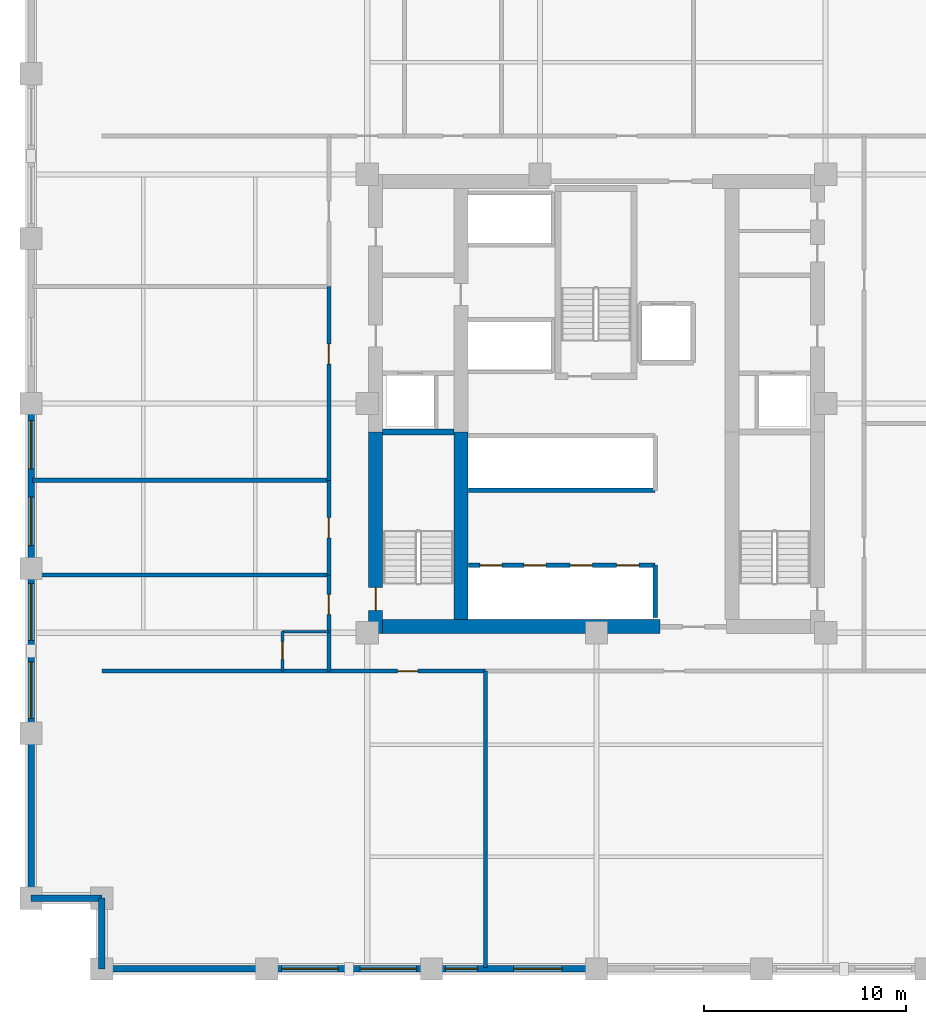
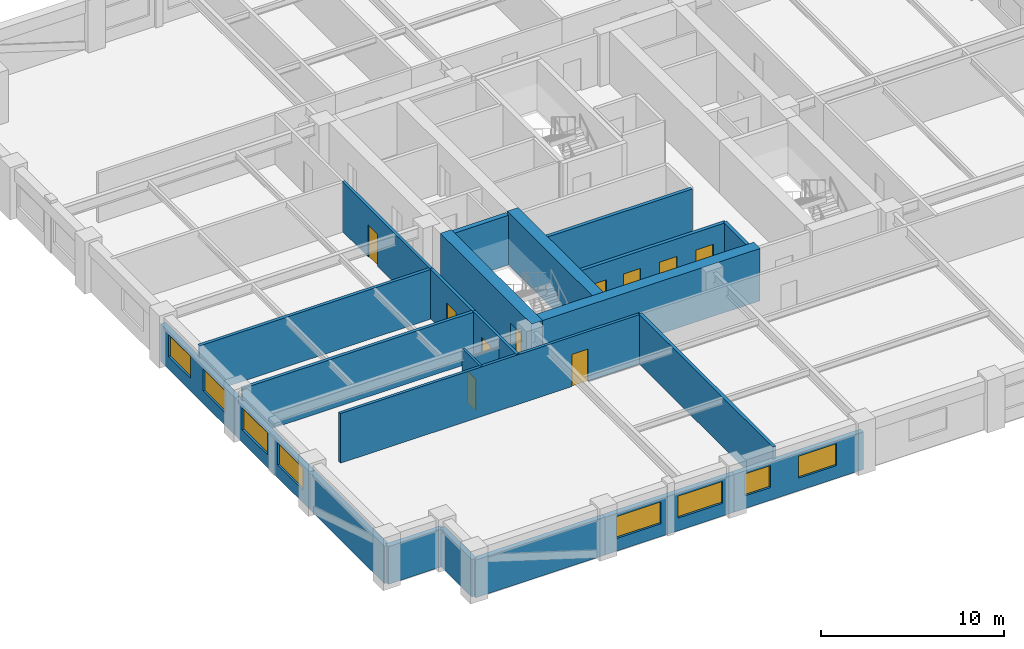
# One storey, part 2 of 6: 24 walls, 10 doors, 8 windows, 18 openings.
"""IFC4 building model written with IfcOpenShell, lengths in metres."""

from ifc_helpers import new_model, si_unit, direction, frame, frame_2d, origin, place, context, subcontext, project, spatial, rectangle, extrude, material, layer, layer_set, type_object, element, fill, save


model = new_model("IFC4")

# Units and contexts
model_context = context("Model", 3, precision=1e-05, world=origin(), true_north=direction((0.0, 1.0)))
body_context = subcontext(model_context, "Body", "Model", "MODEL_VIEW")
ifc_project = project(units=[si_unit("LENGTHUNIT", "METRE"), si_unit("AREAUNIT", "SQUARE_METRE"), si_unit("VOLUMEUNIT", "CUBIC_METRE"), si_unit("PLANEANGLEUNIT", "RADIAN"), si_unit("MASSUNIT", "GRAM", prefix="KILO")], contexts=[model_context])

# Site, building, storey
site_placement = place(None, origin())
site = spatial("IfcSite", under=ifc_project, at=site_placement, CompositionType="ELEMENT")
building_placement = place(site_placement, origin())
building = spatial("IfcBuilding", under=site, at=building_placement, Name="Nhamokura Convention Tower", CompositionType="ELEMENT")
storey_placement = place(building_placement, frame((0.0, 0.0, 82.25)))
storey = spatial("IfcBuildingStorey", under=building, at=storey_placement, Name="L19", CompositionType="ELEMENT", Elevation=82.25)

# Wall
ifc_material_1 = material(Name="Moisture-resistant tile-backer partition", Category="masonry")
ifc_layer_1 = layer(ifc_material_1, 0.139892578125)
ifc_layer_set_1 = layer_set([ifc_layer_1], Name="BathroomWetWall_140")
wall_type_1 = type_object("IfcWallType", Name="BathroomWetWall_140", PredefinedType="STANDARD", material=ifc_layer_set_1)
wall_1_placement = place(storey_placement, frame((16.449951171875, 20.699951171875, 0.0), z_axis=(0.0, 0.0, 1.0), x_axis=(1.0, 0.0, 0.0)))
element("IfcWall", 1, at=wall_1_placement, inside=storey, type_object=wall_type_1, Name="L19 Wall INT-L19-BW-W00N", PredefinedType="STANDARD", context=body_context, shape_type="SweptSolid", body=[
    extrude(rectangle(XDim=2.300048828125, YDim=0.139892578125, at=frame_2d((1.14990234375, 0.0))), origin(), (0.0, 0.0, 1.0), 2.614990234375),
])

# Wall, opening, door
wall_2_placement = place(storey_placement, frame((16.449951171875, 18.75, 0.0), z_axis=(0.0, 0.0, 1.0), x_axis=(0.0, 1.0, 0.0)))
wall_2 = element("IfcWall", 2, at=wall_2_placement, inside=storey, type_object=wall_type_1, Name="L19 Wall INT-L19-BW-W00W", PredefinedType="STANDARD", context=body_context, shape_type="SweptSolid", body=[
    extrude(rectangle(XDim=1.949951171875, YDim=0.139892578125, at=frame_2d((0.97509765625, 0.0))), origin(), (0.0, 0.0, 1.0), 3.320068359375),
])
opening_1_placement = place(wall_2_placement, frame((0.580078125, 0.0, 0.0)))
opening_1 = element("IfcOpeningElement", 3, at=opening_1_placement, cuts=wall_2, Name="Opening D-11", PredefinedType="OPENING", context=body_context, shape_type="SweptSolid", body=[
    extrude(rectangle(XDim=0.8798828125, YDim=2.10009765625, at=frame_2d((0.43994140625, 1.050048828125))), frame((0.0, 0.079833984375, 0.0), z_axis=(0.0, -1.0, 0.0), x_axis=(1.0, 0.0, 0.0)), (0.0, 0.0, 1.0), 0.159912109375),
])
ifc_material_2 = material(Name="Solid oak hardwood", Category="wood")
door_type_1 = type_object("IfcDoorType", Name="BathroomDoor_880", OperationType="NOTDEFINED", PredefinedType="DOOR", material=ifc_material_2)
door_1_placement = place(opening_1_placement, origin())
door_1 = element("IfcDoor", 4, at=door_1_placement, inside=storey, type_object=door_type_1, Name="L19 Guest Room En-suite Door", OperationType="SINGLE_SWING_RIGHT", OverallHeight=2.10009765625, OverallWidth=0.8798828125, PredefinedType="DOOR", context=body_context, shape_type="SweptSolid", body=[
    extrude(rectangle(XDim=0.8798828125, YDim=2.10009765625, at=frame_2d((0.43994140625, 1.050048828125))), frame((0.0, 0.02490234375, 0.0), z_axis=(0.0, -1.0, 0.0), x_axis=(1.0, 0.0, 0.0)), (0.0, 0.0, 1.0), 0.050048828125),
])
fill(opening_1, door_1)

# Wall
ifc_material_3 = material(Name="Bronze-pigmented precast concrete C45/55", Category="concrete")
ifc_layer_2 = layer(ifc_material_3, 0.320068359375)
ifc_layer_set_2 = layer_set([ifc_layer_2], Name="BronzePrecastSpandrel_320")
wall_type_2 = type_object("IfcWallType", Name="BronzePrecastSpandrel_320", PredefinedType="USERDEFINED", material=ifc_layer_set_2)
wall_3_placement = place(storey_placement, frame((15.666748046875, 4.0, 0.0), z_axis=(0.0, 0.0, 1.0), x_axis=(-1.0, 0.0, 0.0)))
element("IfcWall", 5, at=wall_3_placement, inside=storey, type_object=wall_type_2, Name="L19 Braced-Bay Precast Wall SOUTH 0", ObjectType="SPANDREL_WALL", PredefinedType="USERDEFINED", context=body_context, shape_type="SweptSolid", body=[
    extrude(rectangle(XDim=8.166748046875, YDim=0.320068359375, at=frame_2d((4.08349609375, 0.0))), origin(), (0.0, 0.0, 1.0), 2.52001953125),
])

# Wall, openings, windows
wall_4_placement = place(storey_placement, frame((23.833251953125, 4.0, 0.0), z_axis=(0.0, 0.0, 1.0), x_axis=(-1.0, 0.0, 0.0)))
wall_4 = element("IfcWall", 6, at=wall_4_placement, inside=storey, type_object=wall_type_2, Name="L19 Masonry-Frame Wall SOUTH 1", ObjectType="SPANDREL_WALL", PredefinedType="USERDEFINED", context=body_context, shape_type="SweptSolid", body=[
    extrude(rectangle(XDim=8.16650390625, YDim=0.320068359375, at=frame_2d((4.083251953125, 0.0))), origin(), (0.0, 0.0, 1.0), 2.52001953125),
])
opening_2_placement = place(wall_4_placement, frame((0.74169921875, 0.0, 0.85009765625)))
opening_2 = element("IfcOpeningElement", 7, at=opening_2_placement, cuts=wall_4, Name="Opening W-04", PredefinedType="OPENING", context=body_context, shape_type="SweptSolid", body=[
    extrude(rectangle(XDim=2.800048828125, YDim=1.469970703125, at=frame_2d((1.39990234375, 0.73486328125))), frame((0.0, 0.169921875, 0.0), z_axis=(0.0, -1.0, 0.0), x_axis=(1.0, 0.0, 0.0)), (0.0, 0.0, 1.0), 0.340087890625),
])
opening_3_placement = place(wall_4_placement, frame((4.625, 0.0, 0.85009765625)))
opening_3 = element("IfcOpeningElement", 8, at=opening_3_placement, cuts=wall_4, Name="Opening W-04", PredefinedType="OPENING", context=body_context, shape_type="SweptSolid", body=[
    extrude(rectangle(XDim=2.800048828125, YDim=1.469970703125, at=frame_2d((1.39990234375, 0.73486328125))), frame((0.0, 0.169921875, 0.0), z_axis=(0.0, -1.0, 0.0), x_axis=(1.0, 0.0, 0.0)), (0.0, 0.0, 1.0), 0.340087890625),
])
ifc_material_4 = material(Name="Solar-control bronze low-E double glass", Category="glass")
window_type_1 = type_object("IfcWindowType", Name="HotelSuiteWindow_2800", PartitioningType="DOUBLE_PANEL_VERTICAL", PredefinedType="WINDOW", material=ifc_material_4)
window_1_placement = place(opening_2_placement, origin())
window_1 = element("IfcWindow", 9, at=window_1_placement, inside=storey, type_object=window_type_1, Name="L19 Facade Window SOUTH 1-1", OverallHeight=1.469970703125, OverallWidth=2.800048828125, PartitioningType="SINGLE_PANEL", PredefinedType="WINDOW", context=body_context, shape_type="SweptSolid", body=[
    extrude(rectangle(XDim=2.800048828125, YDim=1.469970703125, at=frame_2d((1.39990234375, 0.73486328125))), frame((0.0, 0.030029296875, 0.0), z_axis=(0.0, -1.0, 0.0), x_axis=(1.0, 0.0, 0.0)), (0.0, 0.0, 1.0), 0.06005859375),
])
fill(opening_2, window_1)
window_2_placement = place(opening_3_placement, origin())
window_2 = element("IfcWindow", 10, at=window_2_placement, inside=storey, type_object=window_type_1, Name="L19 Facade Window SOUTH 1-2", OverallHeight=1.469970703125, OverallWidth=2.800048828125, PartitioningType="SINGLE_PANEL", PredefinedType="WINDOW", context=body_context, shape_type="SweptSolid", body=[
    extrude(rectangle(XDim=2.800048828125, YDim=1.469970703125, at=frame_2d((1.39990234375, 0.73486328125))), frame((0.0, 0.030029296875, 0.0), z_axis=(0.0, -1.0, 0.0), x_axis=(1.0, 0.0, 0.0)), (0.0, 0.0, 1.0), 0.06005859375),
])
fill(opening_3, window_2)

wall_5_placement = place(storey_placement, frame((32.0, 4.0, 0.0), z_axis=(0.0, 0.0, 1.0), x_axis=(-1.0, 0.0, 0.0)))
wall_5 = element("IfcWall", 11, at=wall_5_placement, inside=storey, type_object=wall_type_2, Name="L19 Masonry-Frame Wall SOUTH 2", ObjectType="SPANDREL_WALL", PredefinedType="USERDEFINED", context=body_context, shape_type="SweptSolid", body=[
    extrude(rectangle(XDim=8.166748046875, YDim=0.320068359375, at=frame_2d((4.08349609375, 0.0))), origin(), (0.0, 0.0, 1.0), 2.52001953125),
])
opening_4_placement = place(wall_5_placement, frame((1.699951171875, 0.0, 0.85009765625)))
opening_4 = element("IfcOpeningElement", 12, at=opening_4_placement, cuts=wall_5, Name="Opening W-03", PredefinedType="OPENING", context=body_context, shape_type="SweptSolid", body=[
    extrude(rectangle(XDim=2.39990234375, YDim=1.469970703125, at=frame_2d((1.199951171875, 0.73486328125))), frame((0.0, 0.169921875, 0.0), z_axis=(0.0, -1.0, 0.0), x_axis=(1.0, 0.0, 0.0)), (0.0, 0.0, 1.0), 0.340087890625),
])
opening_5_placement = place(wall_5_placement, frame((5.88330078125, 0.0, 0.85009765625)))
opening_5 = element("IfcOpeningElement", 13, at=opening_5_placement, cuts=wall_5, Name="Opening W-11", PredefinedType="OPENING", context=body_context, shape_type="SweptSolid", body=[
    extrude(rectangle(XDim=1.60009765625, YDim=1.469970703125, at=frame_2d((0.800048828125, 0.73486328125))), frame((0.0, 0.169921875, 0.0), z_axis=(0.0, -1.0, 0.0), x_axis=(1.0, 0.0, 0.0)), (0.0, 0.0, 1.0), 0.340087890625),
])
ifc_material_5 = material(Name="Solar-control bronze low-E double glass", Category="glass")
window_type_2 = type_object("IfcWindowType", Name="HotelBayWindow_2400", PartitioningType="DOUBLE_PANEL_VERTICAL", PredefinedType="WINDOW", material=ifc_material_5)
window_3_placement = place(opening_4_placement, origin())
window_3 = element("IfcWindow", 14, at=window_3_placement, inside=storey, type_object=window_type_2, Name="L19 Facade Window SOUTH 2-1", OverallHeight=1.469970703125, OverallWidth=2.39990234375, PartitioningType="SINGLE_PANEL", PredefinedType="WINDOW", context=body_context, shape_type="SweptSolid", body=[
    extrude(rectangle(XDim=2.39990234375, YDim=1.469970703125, at=frame_2d((1.199951171875, 0.73486328125))), frame((0.0, 0.030029296875, 0.0), z_axis=(0.0, -1.0, 0.0), x_axis=(1.0, 0.0, 0.0)), (0.0, 0.0, 1.0), 0.06005859375),
])
fill(opening_4, window_3)
ifc_material_6 = material(Name="Solar-control bronze low-E double glass", Category="glass")
window_type_3 = type_object("IfcWindowType", Name="NotchCornerWindow_1600", PartitioningType="SINGLE_PANEL", PredefinedType="WINDOW", material=ifc_material_6)
window_4_placement = place(opening_5_placement, origin())
window_4 = element("IfcWindow", 15, at=window_4_placement, inside=storey, type_object=window_type_3, Name="L19 Facade Window SOUTH 2-2", OverallHeight=1.469970703125, OverallWidth=1.60009765625, PartitioningType="SINGLE_PANEL", PredefinedType="WINDOW", context=body_context, shape_type="SweptSolid", body=[
    extrude(rectangle(XDim=1.60009765625, YDim=1.469970703125, at=frame_2d((0.800048828125, 0.73486328125))), frame((0.0, 0.030029296875, 0.0), z_axis=(0.0, -1.0, 0.0), x_axis=(1.0, 0.0, 0.0)), (0.0, 0.0, 1.0), 0.06005859375),
])
fill(opening_5, window_4)

# Wall
wall_6_placement = place(storey_placement, frame((4.0, 7.5, 0.0), z_axis=(0.0, 0.0, 1.0), x_axis=(0.0, 1.0, 0.0)))
element("IfcWall", 16, at=wall_6_placement, inside=storey, type_object=wall_type_2, Name="L19 Braced-Bay Precast Wall WEST 0", ObjectType="SPANDREL_WALL", PredefinedType="USERDEFINED", context=body_context, shape_type="SweptSolid", body=[
    extrude(rectangle(XDim=8.166748046875, YDim=0.320068359375, at=frame_2d((4.08349609375, 0.0))), origin(), (0.0, 0.0, 1.0), 2.52001953125),
])

# Wall, openings, windows
wall_7_placement = place(storey_placement, frame((4.0, 15.666748046875, 0.0), z_axis=(0.0, 0.0, 1.0), x_axis=(0.0, 1.0, 0.0)))
wall_7 = element("IfcWall", 17, at=wall_7_placement, inside=storey, type_object=wall_type_2, Name="L19 Masonry-Frame Wall WEST 1", ObjectType="SPANDREL_WALL", PredefinedType="USERDEFINED", context=body_context, shape_type="SweptSolid", body=[
    extrude(rectangle(XDim=8.16650390625, YDim=0.320068359375, at=frame_2d((4.083251953125, 0.0))), origin(), (0.0, 0.0, 1.0), 2.52001953125),
])
opening_6_placement = place(wall_7_placement, frame((0.74169921875, 0.0, 0.85009765625)))
opening_6 = element("IfcOpeningElement", 18, at=opening_6_placement, cuts=wall_7, Name="Opening W-04", PredefinedType="OPENING", context=body_context, shape_type="SweptSolid", body=[
    extrude(rectangle(XDim=2.800048828125, YDim=1.469970703125, at=frame_2d((1.39990234375, 0.73486328125))), frame((0.0, 0.169921875, 0.0), z_axis=(0.0, -1.0, 0.0), x_axis=(1.0, 0.0, 0.0)), (0.0, 0.0, 1.0), 0.340087890625),
])
opening_7_placement = place(wall_7_placement, frame((4.6083984375, 0.0, 0.85009765625)))
opening_7 = element("IfcOpeningElement", 19, at=opening_7_placement, cuts=wall_7, Name="Opening W-04", PredefinedType="OPENING", context=body_context, shape_type="SweptSolid", body=[
    extrude(rectangle(XDim=2.800048828125, YDim=1.469970703125, at=frame_2d((1.39990234375, 0.73486328125))), frame((0.0, 0.169921875, 0.0), z_axis=(0.0, -1.0, 0.0), x_axis=(1.0, 0.0, 0.0)), (0.0, 0.0, 1.0), 0.340087890625),
])
window_5_placement = place(opening_6_placement, origin())
window_5 = element("IfcWindow", 20, at=window_5_placement, inside=storey, type_object=window_type_1, Name="L19 Facade Window WEST 1-1", OverallHeight=1.469970703125, OverallWidth=2.800048828125, PartitioningType="SINGLE_PANEL", PredefinedType="WINDOW", context=body_context, shape_type="SweptSolid", body=[
    extrude(rectangle(XDim=2.800048828125, YDim=1.469970703125, at=frame_2d((1.39990234375, 0.73486328125))), frame((0.0, 0.030029296875, 0.0), z_axis=(0.0, -1.0, 0.0), x_axis=(1.0, 0.0, 0.0)), (0.0, 0.0, 1.0), 0.06005859375),
])
fill(opening_6, window_5)
window_6_placement = place(opening_7_placement, origin())
window_6 = element("IfcWindow", 21, at=window_6_placement, inside=storey, type_object=window_type_1, Name="L19 Facade Window WEST 1-2", OverallHeight=1.469970703125, OverallWidth=2.800048828125, PartitioningType="SINGLE_PANEL", PredefinedType="WINDOW", context=body_context, shape_type="SweptSolid", body=[
    extrude(rectangle(XDim=2.800048828125, YDim=1.469970703125, at=frame_2d((1.39990234375, 0.73486328125))), frame((0.0, 0.030029296875, 0.0), z_axis=(0.0, -1.0, 0.0), x_axis=(1.0, 0.0, 0.0)), (0.0, 0.0, 1.0), 0.06005859375),
])
fill(opening_7, window_6)

wall_8_placement = place(storey_placement, frame((4.0, 23.833251953125, 0.0), z_axis=(0.0, 0.0, 1.0), x_axis=(0.0, 1.0, 0.0)))
wall_8 = element("IfcWall", 22, at=wall_8_placement, inside=storey, type_object=wall_type_2, Name="L19 Masonry-Frame Wall WEST 2", ObjectType="SPANDREL_WALL", PredefinedType="USERDEFINED", context=body_context, shape_type="SweptSolid", body=[
    extrude(rectangle(XDim=8.166748046875, YDim=0.320068359375, at=frame_2d((4.08349609375, 0.0))), origin(), (0.0, 0.0, 1.0), 2.52001953125),
])
opening_8_placement = place(wall_8_placement, frame((1.13330078125, 0.0, 0.85009765625)))
opening_8 = element("IfcOpeningElement", 23, at=opening_8_placement, cuts=wall_8, Name="Opening W-03", PredefinedType="OPENING", context=body_context, shape_type="SweptSolid", body=[
    extrude(rectangle(XDim=2.39990234375, YDim=1.469970703125, at=frame_2d((1.199951171875, 0.73486328125))), frame((0.0, 0.169921875, 0.0), z_axis=(0.0, -1.0, 0.0), x_axis=(1.0, 0.0, 0.0)), (0.0, 0.0, 1.0), 0.340087890625),
])
opening_9_placement = place(wall_8_placement, frame((4.916748046875, 0.0, 0.85009765625)))
opening_9 = element("IfcOpeningElement", 24, at=opening_9_placement, cuts=wall_8, Name="Opening W-03", PredefinedType="OPENING", context=body_context, shape_type="SweptSolid", body=[
    extrude(rectangle(XDim=2.39990234375, YDim=1.469970703125, at=frame_2d((1.199951171875, 0.73486328125))), frame((0.0, 0.169921875, 0.0), z_axis=(0.0, -1.0, 0.0), x_axis=(1.0, 0.0, 0.0)), (0.0, 0.0, 1.0), 0.340087890625),
])
window_7_placement = place(opening_8_placement, origin())
window_7 = element("IfcWindow", 25, at=window_7_placement, inside=storey, type_object=window_type_2, Name="L19 Facade Window WEST 2-1", OverallHeight=1.469970703125, OverallWidth=2.39990234375, PartitioningType="SINGLE_PANEL", PredefinedType="WINDOW", context=body_context, shape_type="SweptSolid", body=[
    extrude(rectangle(XDim=2.39990234375, YDim=1.469970703125, at=frame_2d((1.199951171875, 0.73486328125))), frame((0.0, 0.030029296875, 0.0), z_axis=(0.0, -1.0, 0.0), x_axis=(1.0, 0.0, 0.0)), (0.0, 0.0, 1.0), 0.06005859375),
])
fill(opening_8, window_7)
window_8_placement = place(opening_9_placement, origin())
window_8 = element("IfcWindow", 26, at=window_8_placement, inside=storey, type_object=window_type_2, Name="L19 Facade Window WEST 2-2", OverallHeight=1.469970703125, OverallWidth=2.39990234375, PartitioningType="SINGLE_PANEL", PredefinedType="WINDOW", context=body_context, shape_type="SweptSolid", body=[
    extrude(rectangle(XDim=2.39990234375, YDim=1.469970703125, at=frame_2d((1.199951171875, 0.73486328125))), frame((0.0, 0.030029296875, 0.0), z_axis=(0.0, -1.0, 0.0), x_axis=(1.0, 0.0, 0.0)), (0.0, 0.0, 1.0), 0.06005859375),
])
fill(opening_9, window_8)

# Walls
for number, where, z_axis, x_axis, name in (
    (27, (7.5, 4.0, 0.0), (0.0, 0.0, 1.0), (0.0, 1.0, 0.0), "L19 Notched Corner Wall SW1"),
    (28, (7.5, 7.5, 0.0), (0.0, 0.0, 1.0), (-1.0, 0.0, 0.0), "L19 Notched Corner Wall SW2"),
):
    element("IfcWall", number, at=place(storey_placement, frame(where, z_axis=z_axis, x_axis=x_axis)), inside=storey, type_object=wall_type_2, Name=name, ObjectType="SPANDREL_WALL", PredefinedType="USERDEFINED", context=body_context, shape_type="SweptSolid", body=[
        extrude(rectangle(XDim=3.5, YDim=0.320068359375, at=frame_2d((1.75, 0.0))), origin(), (0.0, 0.0, 1.0), 2.52001953125),
    ])

# Wall, opening, door
ifc_material_7 = material(Name="Concrete C70/85", Category="concrete")
ifc_layer_3 = layer(ifc_material_7, 0.699951171875)
ifc_layer_set_3 = layer_set([ifc_layer_3], Name="CoreShearWall_700")
wall_type_3 = type_object("IfcWallType", Name="CoreShearWall_700", PredefinedType="SHEAR", material=ifc_layer_set_3)
wall_9_placement = place(storey_placement, frame((21.06005859375, 20.60009765625, 0.0), z_axis=(0.0, 0.0, 1.0), x_axis=(0.0, 1.0, 0.0)))
wall_9 = element("IfcWall", 29, at=wall_9_placement, inside=storey, type_object=wall_type_3, Name="L19 Core Shear Wall CW-WS", PredefinedType="SHEAR", context=body_context, shape_type="SweptSolid", body=[
    extrude(rectangle(XDim=10.0, YDim=0.699951171875, at=frame_2d((5.0, 0.0))), origin(), (0.0, 0.0, 1.0), 3.5),
])
opening_10_placement = place(wall_9_placement, frame((1.14990234375, 0.0, 0.0)))
opening_10 = element("IfcOpeningElement", 30, at=opening_10_placement, cuts=wall_9, Name="Opening D-04", PredefinedType="OPENING", context=body_context, shape_type="SweptSolid", body=[
    extrude(rectangle(XDim=1.14990234375, YDim=2.14990234375, at=frame_2d((0.574951171875, 1.074951171875))), frame((0.0, 0.35986328125, 0.0), z_axis=(0.0, -1.0, 0.0), x_axis=(1.0, 0.0, 0.0)), (0.0, 0.0, 1.0), 0.719970703125),
])
ifc_material_8 = material(Name="Fire-rated steel door", Category="steel")
door_type_2 = type_object("IfcDoorType", Name="StairSmokeDoor_1150", OperationType="NOTDEFINED", PredefinedType="DOOR", material=ifc_material_8)
door_2_placement = place(opening_10_placement, origin())
door_2 = element("IfcDoor", 31, at=door_2_placement, inside=storey, type_object=door_type_2, Name="L19 Core Door INT-L19-D-ST01", OperationType="SINGLE_SWING_LEFT", OverallHeight=2.14990234375, OverallWidth=1.14990234375, PredefinedType="DOOR", context=body_context, shape_type="SweptSolid", body=[
    extrude(rectangle(XDim=1.14990234375, YDim=2.14990234375, at=frame_2d((0.574951171875, 1.074951171875))), frame((0.0, 0.02490234375, 0.0), z_axis=(0.0, -1.0, 0.0), x_axis=(1.0, 0.0, 0.0)), (0.0, 0.0, 1.0), 0.050048828125),
])
fill(opening_10, door_2)

# Walls
wall_10_placement = place(storey_placement, frame((21.409912109375, 20.949951171875, 0.0), z_axis=(0.0, 0.0, 1.0), x_axis=(1.0, 0.0, 0.0)))
element("IfcWall", 32, at=wall_10_placement, inside=storey, type_object=wall_type_3, Name="L19 Core Shear Wall CW-S1", PredefinedType="SHEAR", context=body_context, shape_type="SweptSolid", body=[
    extrude(rectangle(XDim=13.739990234375, YDim=0.699951171875, at=frame_2d((6.8701171875, 0.0))), origin(), (0.0, 0.0, 1.0), 3.5),
])
wall_11_placement = place(storey_placement, frame((25.2900390625, 21.300048828125, 0.0), z_axis=(0.0, 0.0, 1.0), x_axis=(0.0, 1.0, 0.0)))
element("IfcWall", 33, at=wall_11_placement, inside=storey, type_object=wall_type_3, Name="L19 Core Shear Wall CW-IWS", PredefinedType="SHEAR", context=body_context, shape_type="SweptSolid", body=[
    extrude(rectangle(XDim=9.300048828125, YDim=0.699951171875, at=frame_2d((4.64990234375, 0.0))), origin(), (0.0, 0.0, 1.0), 3.5),
])

# Wall, opening, door
ifc_material_9 = material(Name="Fire-rated gypsum and masonry partition", Category="masonry")
ifc_layer_4 = layer(ifc_material_9, 0.179931640625)
ifc_layer_set_4 = layer_set([ifc_layer_4], Name="CorridorRatedWall_180")
wall_type_4 = type_object("IfcWallType", Name="CorridorRatedWall_180", PredefinedType="STANDARD", material=ifc_layer_set_4)
wall_12_placement = place(storey_placement, frame((7.5, 18.75, 0.0), z_axis=(0.0, 0.0, 1.0), x_axis=(1.0, 0.0, 0.0)))
wall_12 = element("IfcWall", 34, at=wall_12_placement, inside=storey, type_object=wall_type_4, Name="L19 Wall INT-L19-CW-S00", PredefinedType="STANDARD", context=body_context, shape_type="SweptSolid", body=[
    extrude(rectangle(XDim=19.0, YDim=0.179931640625, at=frame_2d((9.5, 0.0))), origin(), (0.0, 0.0, 1.0), 3.320068359375),
])
opening_11_placement = place(wall_12_placement, frame((14.64990234375, 0.0, 0.0)))
opening_11 = element("IfcOpeningElement", 35, at=opening_11_placement, cuts=wall_12, Name="Opening D-07", PredefinedType="OPENING", context=body_context, shape_type="SweptSolid", body=[
    extrude(rectangle(XDim=1.0, YDim=2.14990234375, at=frame_2d((0.5, 1.074951171875))), frame((0.0, 0.099853515625, 0.0), z_axis=(0.0, -1.0, 0.0), x_axis=(1.0, 0.0, 0.0)), (0.0, 0.0, 1.0), 0.199951171875),
])
ifc_material_10 = material(Name="Solid oak hardwood", Category="wood")
door_type_3 = type_object("IfcDoorType", Name="HotelSuiteEntryDoor_1000", OperationType="NOTDEFINED", PredefinedType="DOOR", material=ifc_material_10)
door_3_placement = place(opening_11_placement, origin())
door_3 = element("IfcDoor", 36, at=door_3_placement, inside=storey, type_object=door_type_3, Name="L19 Conference Salon S01 Door", OperationType="SINGLE_SWING_LEFT", OverallHeight=2.14990234375, OverallWidth=1.0, PredefinedType="DOOR", context=body_context, shape_type="SweptSolid", body=[
    extrude(rectangle(XDim=1.0, YDim=2.14990234375, at=frame_2d((0.5, 1.074951171875))), frame((0.0, 0.02490234375, 0.0), z_axis=(0.0, -1.0, 0.0), x_axis=(1.0, 0.0, 0.0)), (0.0, 0.0, 1.0), 0.050048828125),
])
fill(opening_11, door_3)

wall_13_placement = place(storey_placement, frame((18.75, 18.75, 0.0), z_axis=(0.0, 0.0, 1.0), x_axis=(0.0, 1.0, 0.0)))
wall_13 = element("IfcWall", 37, at=wall_13_placement, inside=storey, type_object=wall_type_4, Name="L19 Wall INT-L19-CW-W00", PredefinedType="STANDARD", context=body_context, shape_type="SweptSolid", body=[
    extrude(rectangle(XDim=4.75, YDim=0.179931640625, at=frame_2d((2.375, 0.0))), origin(), (0.0, 0.0, 1.0), 3.320068359375),
])
opening_12_placement = place(wall_13_placement, frame((2.800048828125, 0.0, 0.0)))
opening_12 = element("IfcOpeningElement", 38, at=opening_12_placement, cuts=wall_13, Name="Opening D-07", PredefinedType="OPENING", context=body_context, shape_type="SweptSolid", body=[
    extrude(rectangle(XDim=1.0, YDim=2.14990234375, at=frame_2d((0.5, 1.074951171875))), frame((0.0, 0.099853515625, 0.0), z_axis=(0.0, -1.0, 0.0), x_axis=(1.0, 0.0, 0.0)), (0.0, 0.0, 1.0), 0.199951171875),
])
door_4_placement = place(opening_12_placement, origin())
door_4 = element("IfcDoor", 39, at=door_4_placement, inside=storey, type_object=door_type_3, Name="L19 Guest Room W01 Door", OperationType="SINGLE_SWING_LEFT", OverallHeight=2.14990234375, OverallWidth=1.0, PredefinedType="DOOR", context=body_context, shape_type="SweptSolid", body=[
    extrude(rectangle(XDim=1.0, YDim=2.14990234375, at=frame_2d((0.5, 1.074951171875))), frame((0.0, 0.02490234375, 0.0), z_axis=(0.0, -1.0, 0.0), x_axis=(1.0, 0.0, 0.0)), (0.0, 0.0, 1.0), 0.050048828125),
])
fill(opening_12, door_4)

wall_14_placement = place(storey_placement, frame((18.75, 23.5, 0.0), z_axis=(0.0, 0.0, 1.0), x_axis=(0.0, 1.0, 0.0)))
wall_14 = element("IfcWall", 40, at=wall_14_placement, inside=storey, type_object=wall_type_4, Name="L19 Wall INT-L19-CW-W01", PredefinedType="STANDARD", context=body_context, shape_type="SweptSolid", body=[
    extrude(rectangle(XDim=4.699951171875, YDim=0.179931640625, at=frame_2d((2.35009765625, 0.0))), origin(), (0.0, 0.0, 1.0), 3.320068359375),
])
opening_13_placement = place(wall_14_placement, frame((1.85009765625, 0.0, 0.0)))
opening_13 = element("IfcOpeningElement", 41, at=opening_13_placement, cuts=wall_14, Name="Opening D-07", PredefinedType="OPENING", context=body_context, shape_type="SweptSolid", body=[
    extrude(rectangle(XDim=1.0, YDim=2.14990234375, at=frame_2d((0.5, 1.074951171875))), frame((0.0, 0.099853515625, 0.0), z_axis=(0.0, -1.0, 0.0), x_axis=(1.0, 0.0, 0.0)), (0.0, 0.0, 1.0), 0.199951171875),
])
door_5_placement = place(opening_13_placement, origin())
door_5 = element("IfcDoor", 42, at=door_5_placement, inside=storey, type_object=door_type_3, Name="L19 Pantry W02 Door", OperationType="SINGLE_SWING_RIGHT", OverallHeight=2.14990234375, OverallWidth=1.0, PredefinedType="DOOR", context=body_context, shape_type="SweptSolid", body=[
    extrude(rectangle(XDim=1.0, YDim=2.14990234375, at=frame_2d((0.5, 1.074951171875))), frame((0.0, 0.02490234375, 0.0), z_axis=(0.0, -1.0, 0.0), x_axis=(1.0, 0.0, 0.0)), (0.0, 0.0, 1.0), 0.050048828125),
])
fill(opening_13, door_5)

wall_15_placement = place(storey_placement, frame((18.75, 28.199951171875, 0.0), z_axis=(0.0, 0.0, 1.0), x_axis=(0.0, 1.0, 0.0)))
wall_15 = element("IfcWall", 43, at=wall_15_placement, inside=storey, type_object=wall_type_4, Name="L19 Wall INT-L19-CW-W02", PredefinedType="STANDARD", context=body_context, shape_type="SweptSolid", body=[
    extrude(rectangle(XDim=9.60009765625, YDim=0.179931640625, at=frame_2d((4.800048828125, 0.0))), origin(), (0.0, 0.0, 1.0), 3.320068359375),
])
opening_14_placement = place(wall_15_placement, frame((5.75, 0.0, 0.0)))
opening_14 = element("IfcOpeningElement", 44, at=opening_14_placement, cuts=wall_15, Name="Opening D-07", PredefinedType="OPENING", context=body_context, shape_type="SweptSolid", body=[
    extrude(rectangle(XDim=1.0, YDim=2.14990234375, at=frame_2d((0.5, 1.074951171875))), frame((0.0, 0.099853515625, 0.0), z_axis=(0.0, -1.0, 0.0), x_axis=(1.0, 0.0, 0.0)), (0.0, 0.0, 1.0), 0.199951171875),
])
door_6_placement = place(opening_14_placement, origin())
door_6 = element("IfcDoor", 45, at=door_6_placement, inside=storey, type_object=door_type_3, Name="L19 Conference Salon W03 Door", OperationType="SINGLE_SWING_LEFT", OverallHeight=2.14990234375, OverallWidth=1.0, PredefinedType="DOOR", context=body_context, shape_type="SweptSolid", body=[
    extrude(rectangle(XDim=1.0, YDim=2.14990234375, at=frame_2d((0.5, 1.074951171875))), frame((0.0, 0.02490234375, 0.0), z_axis=(0.0, -1.0, 0.0), x_axis=(1.0, 0.0, 0.0)), (0.0, 0.0, 1.0), 0.050048828125),
])
fill(opening_14, door_6)

# Wall, openings, doors
ifc_material_11 = material(Name="Autoclaved concrete blockwork", Category="masonry")
ifc_layer_5 = layer(ifc_material_11, 0.219970703125)
ifc_layer_set_5 = layer_set([ifc_layer_5], Name="FireLobbyWall_220")
wall_type_5 = type_object("IfcWallType", Name="FireLobbyWall_220", PredefinedType="STANDARD", material=ifc_layer_set_5)
wall_16_placement = place(storey_placement, frame((25.64990234375, 24.0, 0.0), z_axis=(0.0, 0.0, 1.0), x_axis=(1.0, 0.0, 0.0)))
wall_16 = element("IfcWall", 46, at=wall_16_placement, inside=storey, type_object=wall_type_5, Name="L19 Wall INT-L19-B1N", PredefinedType="STANDARD", context=body_context, shape_type="SweptSolid", body=[
    extrude(rectangle(XDim=9.25, YDim=0.219970703125, at=frame_2d((4.625, 0.0))), origin(), (0.0, 0.0, 1.0), 3.320068359375),
])
opening_15_placement = place(wall_16_placement, frame((0.580078125, 0.0, 0.0)))
opening_15 = element("IfcOpeningElement", 47, at=opening_15_placement, cuts=wall_16, Name="Opening LD-01", PredefinedType="OPENING", context=body_context, shape_type="SweptSolid", body=[
    extrude(rectangle(XDim=1.10009765625, YDim=2.14990234375, at=frame_2d((0.550048828125, 1.074951171875))), frame((0.0, 0.119873046875, 0.0), z_axis=(0.0, -1.0, 0.0), x_axis=(1.0, 0.0, 0.0)), (0.0, 0.0, 1.0), 0.239990234375),
])
opening_16_placement = place(wall_16_placement, frame((2.75, 0.0, 0.0)))
opening_16 = element("IfcOpeningElement", 48, at=opening_16_placement, cuts=wall_16, Name="Opening LD-01", PredefinedType="OPENING", context=body_context, shape_type="SweptSolid", body=[
    extrude(rectangle(XDim=1.10009765625, YDim=2.14990234375, at=frame_2d((0.550048828125, 1.074951171875))), frame((0.0, 0.119873046875, 0.0), z_axis=(0.0, -1.0, 0.0), x_axis=(1.0, 0.0, 0.0)), (0.0, 0.0, 1.0), 0.239990234375),
])
opening_17_placement = place(wall_16_placement, frame((5.050048828125, 0.0, 0.0)))
opening_17 = element("IfcOpeningElement", 49, at=opening_17_placement, cuts=wall_16, Name="Opening LD-01", PredefinedType="OPENING", context=body_context, shape_type="SweptSolid", body=[
    extrude(rectangle(XDim=1.10009765625, YDim=2.14990234375, at=frame_2d((0.550048828125, 1.074951171875))), frame((0.0, 0.119873046875, 0.0), z_axis=(0.0, -1.0, 0.0), x_axis=(1.0, 0.0, 0.0)), (0.0, 0.0, 1.0), 0.239990234375),
])
opening_18_placement = place(wall_16_placement, frame((7.35009765625, 0.0, 0.0)))
opening_18 = element("IfcOpeningElement", 50, at=opening_18_placement, cuts=wall_16, Name="Opening LD-01", PredefinedType="OPENING", context=body_context, shape_type="SweptSolid", body=[
    extrude(rectangle(XDim=1.10009765625, YDim=2.14990234375, at=frame_2d((0.550048828125, 1.074951171875))), frame((0.0, 0.119873046875, 0.0), z_axis=(0.0, -1.0, 0.0), x_axis=(1.0, 0.0, 0.0)), (0.0, 0.0, 1.0), 0.239990234375),
])
ifc_material_12 = material(Name="Anodised bronze stainless steel", Category="steel")
door_type_4 = type_object("IfcDoorType", Name="LiftLandingDoor_Passenger", OperationType="DOUBLE_DOOR_SLIDING", PredefinedType="DOOR", material=ifc_material_12)
door_7_placement = place(opening_15_placement, origin())
door_7 = element("IfcDoor", 51, at=door_7_placement, inside=storey, type_object=door_type_4, Name="L19 Lift LP-01 Landing Door", OperationType="DOUBLE_DOOR_SLIDING", OverallHeight=2.14990234375, OverallWidth=1.10009765625, PredefinedType="DOOR", context=body_context, shape_type="SweptSolid", body=[
    extrude(rectangle(XDim=1.10009765625, YDim=2.14990234375, at=frame_2d((0.550048828125, 1.074951171875))), frame((0.0, 0.02490234375, 0.0), z_axis=(0.0, -1.0, 0.0), x_axis=(1.0, 0.0, 0.0)), (0.0, 0.0, 1.0), 0.050048828125),
])
fill(opening_15, door_7)
door_8_placement = place(opening_16_placement, origin())
door_8 = element("IfcDoor", 52, at=door_8_placement, inside=storey, type_object=door_type_4, Name="L19 Lift LP-02 Landing Door", OperationType="DOUBLE_DOOR_SLIDING", OverallHeight=2.14990234375, OverallWidth=1.10009765625, PredefinedType="DOOR", context=body_context, shape_type="SweptSolid", body=[
    extrude(rectangle(XDim=1.10009765625, YDim=2.14990234375, at=frame_2d((0.550048828125, 1.074951171875))), frame((0.0, 0.02490234375, 0.0), z_axis=(0.0, -1.0, 0.0), x_axis=(1.0, 0.0, 0.0)), (0.0, 0.0, 1.0), 0.050048828125),
])
fill(opening_16, door_8)
door_9_placement = place(opening_17_placement, origin())
door_9 = element("IfcDoor", 53, at=door_9_placement, inside=storey, type_object=door_type_4, Name="L19 Lift LP-03 Landing Door", OperationType="DOUBLE_DOOR_SLIDING", OverallHeight=2.14990234375, OverallWidth=1.10009765625, PredefinedType="DOOR", context=body_context, shape_type="SweptSolid", body=[
    extrude(rectangle(XDim=1.10009765625, YDim=2.14990234375, at=frame_2d((0.550048828125, 1.074951171875))), frame((0.0, 0.02490234375, 0.0), z_axis=(0.0, -1.0, 0.0), x_axis=(1.0, 0.0, 0.0)), (0.0, 0.0, 1.0), 0.050048828125),
])
fill(opening_17, door_9)
door_10_placement = place(opening_18_placement, origin())
door_10 = element("IfcDoor", 54, at=door_10_placement, inside=storey, type_object=door_type_4, Name="L19 Lift LP-04 Landing Door", OperationType="DOUBLE_DOOR_SLIDING", OverallHeight=2.14990234375, OverallWidth=1.10009765625, PredefinedType="DOOR", context=body_context, shape_type="SweptSolid", body=[
    extrude(rectangle(XDim=1.10009765625, YDim=2.14990234375, at=frame_2d((0.550048828125, 1.074951171875))), frame((0.0, 0.02490234375, 0.0), z_axis=(0.0, -1.0, 0.0), x_axis=(1.0, 0.0, 0.0)), (0.0, 0.0, 1.0), 0.050048828125),
])
fill(opening_18, door_10)

# Walls
wall_17_placement = place(storey_placement, frame((34.89990234375, 21.39990234375, 0.0), z_axis=(0.0, 0.0, 1.0), x_axis=(0.0, 1.0, 0.0)))
element("IfcWall", 55, at=wall_17_placement, inside=storey, type_object=wall_type_5, Name="L19 Wall INT-L19-B1E", PredefinedType="STANDARD", context=body_context, shape_type="SweptSolid", body=[
    extrude(rectangle(XDim=2.60009765625, YDim=0.219970703125, at=frame_2d((1.300048828125, 0.0))), origin(), (0.0, 0.0, 1.0), 3.320068359375),
])
wall_18_placement = place(storey_placement, frame((25.64990234375, 27.699951171875, 0.0), z_axis=(0.0, 0.0, 1.0), x_axis=(1.0, 0.0, 0.0)))
element("IfcWall", 56, at=wall_18_placement, inside=storey, type_object=wall_type_5, Name="L19 Wall INT-L19-B2S", PredefinedType="STANDARD", context=body_context, shape_type="SweptSolid", body=[
    extrude(rectangle(XDim=9.25, YDim=0.219970703125, at=frame_2d((4.625, 0.0))), origin(), (0.0, 0.0, 1.0), 3.320068359375),
])
ifc_material_13 = material(Name="Acoustic twin-stud gypsum partition", Category="masonry")
ifc_layer_6 = layer(ifc_material_13, 0.199951171875)
ifc_layer_set_6 = layer_set([ifc_layer_6], Name="HotelDemisingWall_200")
wall_type_6 = type_object("IfcWallType", Name="HotelDemisingWall_200", PredefinedType="STANDARD", material=ifc_layer_set_6)
for number, where, z_axis, x_axis, name in (
    (57, (26.5, 4.06005859375, 0.0), (0.0, 0.0, 1.0), (0.0, 1.0, 0.0), "L19 Wall INT-L19-RW-S01"),
    (58, (4.06005859375, 23.5, 0.0), (0.0, 0.0, 1.0), (1.0, 0.0, 0.0), "L19 Wall INT-L19-RW-W01"),
    (59, (4.06005859375, 28.199951171875, 0.0), (0.0, 0.0, 1.0), (1.0, 0.0, 0.0), "L19 Wall INT-L19-RW-W02"),
):
    element("IfcWall", number, at=place(storey_placement, frame(where, z_axis=z_axis, x_axis=x_axis)), inside=storey, type_object=wall_type_6, Name=name, PredefinedType="STANDARD", context=body_context, shape_type="SweptSolid", body=[
        extrude(rectangle(XDim=14.68994140625, YDim=0.199951171875, at=frame_2d((7.344970703125, 0.0))), origin(), (0.0, 0.0, 1.0), 3.320068359375),
    ])
ifc_material_14 = material(Name="Concrete C50/60", Category="concrete")
ifc_layer_7 = layer(ifc_material_14, 0.300048828125)
ifc_layer_set_7 = layer_set([ifc_layer_7], Name="ShaftEnclosureWall_300")
wall_type_7 = type_object("IfcWallType", Name="ShaftEnclosureWall_300", PredefinedType="SHEAR", material=ifc_layer_set_7)
wall_19_placement = place(storey_placement, frame((21.409912109375, 30.60009765625, 0.0), z_axis=(0.0, 0.0, 1.0), x_axis=(1.0, 0.0, 0.0)))
element("IfcWall", 60, at=wall_19_placement, inside=storey, type_object=wall_type_7, Name="L19 Wall INT-L19-ST01-N", PredefinedType="SHEAR", context=body_context, shape_type="SweptSolid", body=[
    extrude(rectangle(XDim=3.530029296875, YDim=0.300048828125, at=frame_2d((1.76513671875, 0.0))), origin(), (0.0, 0.0, 1.0), 3.320068359375),
])

save(model, "model.ifc")
